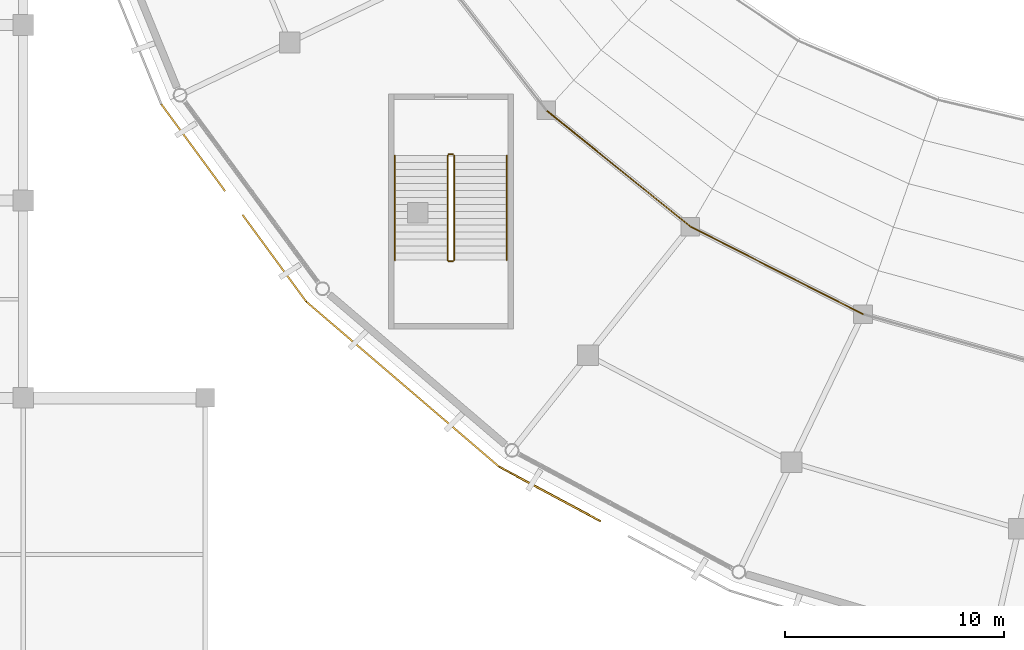
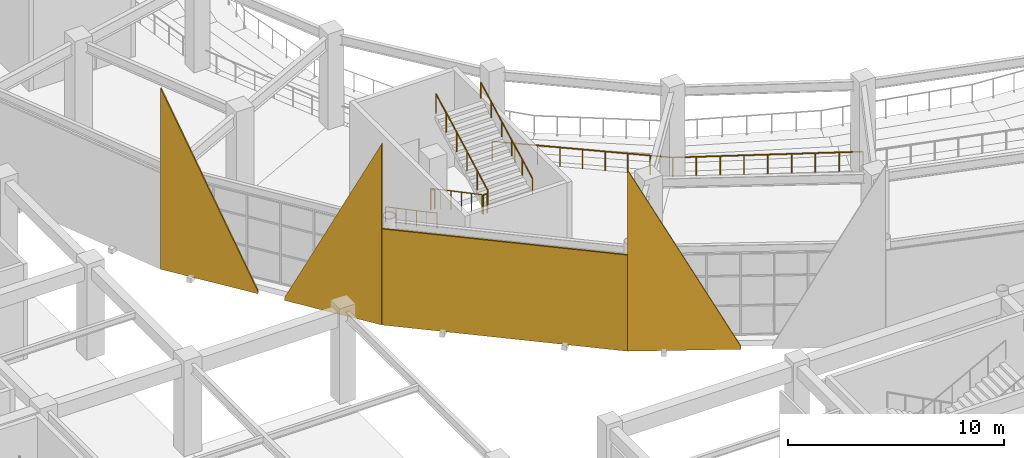
# One storey, part 95 of 120: 8 railings, 4 coverings.
"""IFC4 building model written with IfcOpenShell, lengths in metres."""

from ifc_helpers import new_model, si_unit, direction, frame, frame_2d, origin, origin_2d, place, context, subcontext, project, spatial, polyline, rectangle, circle, outline, extrude, material, layer, layer_set, type_object, element, save


model = new_model("IFC4")

# Units and contexts
model_context = context("Model", 3, precision=1e-05, world=origin(), true_north=direction((0.0, 1.0)))
body_context = subcontext(model_context, "Body", "Model", "MODEL_VIEW")
ifc_project = project(units=[si_unit("LENGTHUNIT", "METRE"), si_unit("AREAUNIT", "SQUARE_METRE"), si_unit("VOLUMEUNIT", "CUBIC_METRE"), si_unit("PLANEANGLEUNIT", "RADIAN"), si_unit("MASSUNIT", "GRAM", prefix="KILO")], contexts=[model_context])

# Site, building, storey
site_placement = place(None, origin())
site = spatial("IfcSite", under=ifc_project, at=site_placement, CompositionType="ELEMENT")
building_placement = place(site_placement, origin())
building = spatial("IfcBuilding", under=site, at=building_placement, Name="Cuetzalor Civic Arena", CompositionType="ELEMENT")
storey_placement = place(building_placement, frame((0.0, 0.0, 6.0)))
storey = spatial("IfcBuildingStorey", under=building, at=storey_placement, Name="L01", CompositionType="ELEMENT", Elevation=6.0)

# Railings
ifc_material_1 = material(Name="Reseda-green Steel S355 and laminated glass guard", Category="steel")
railing_type_1 = type_object("IfcRailingType", Name="BowlSightlineGuard_1100", PredefinedType="BALUSTRADE", material=ifc_material_1)
railing_1_placement = place(storey_placement, frame((-32.446044921875, -20.886962890625, 0.0)))
element("IfcRailing", 1, at=railing_1_placement, inside=storey, type_object=railing_type_1, Name="Lower Bowl Concourse Rim Balustrade S18", PredefinedType="BALUSTRADE", context=body_context, shape_type="SweptSolid", body=[
    extrude(circle(Radius=0.02392578125, at=origin_2d()), frame((0.0, 0.0, 1.076171875), z_axis=(0.778122678462, -0.628112328539, 0.0), x_axis=(0.628112328539, 0.778122678462, 0.0)), (0.0, 0.0, 1.0), 8.445068359375),
    extrude(circle(Radius=0.02099609375, at=origin_2d()), origin(), (0.0, 0.0, 1.0), 1.052001953125),
    extrude(circle(Radius=0.02099609375, at=origin_2d()), frame((0.8212890625, -0.6630859375, 0.0)), (0.0, 0.0, 1.0), 1.052001953125),
    extrude(circle(Radius=0.02099609375, at=origin_2d()), frame((1.642822265625, -1.326171875, 0.0)), (0.0, 0.0, 1.0), 1.052001953125),
    extrude(circle(Radius=0.02099609375, at=origin_2d()), frame((2.46435546875, -1.9892578125, 0.0)), (0.0, 0.0, 1.0), 1.052001953125),
    extrude(circle(Radius=0.02099609375, at=origin_2d()), frame((3.28564453125, -2.65234375, 0.0)), (0.0, 0.0, 1.0), 1.052001953125),
    extrude(circle(Radius=0.02099609375, at=origin_2d()), frame((4.10693359375, -3.315185546875, 0.0)), (0.0, 0.0, 1.0), 1.052001953125),
    extrude(circle(Radius=0.02099609375, at=origin_2d()), frame((4.928466796875, -3.978271484375, 0.0)), (0.0, 0.0, 1.0), 1.052001953125),
    extrude(circle(Radius=0.02099609375, at=origin_2d()), frame((5.75, -4.641357421875, 0.0)), (0.0, 0.0, 1.0), 1.052001953125),
    extrude(circle(Radius=0.02099609375, at=origin_2d()), frame((6.5712890625, -5.304443359375, 0.0)), (0.0, 0.0, 1.0), 1.052001953125),
])
railing_2_placement = place(storey_placement, frame((-25.874755859375, -26.19140625, 0.0)))
element("IfcRailing", 2, at=railing_2_placement, inside=storey, type_object=railing_type_1, Name="Lower Bowl Concourse Rim Balustrade S19", PredefinedType="BALUSTRADE", context=body_context, shape_type="SweptSolid", body=[
    extrude(circle(Radius=0.02392578125, at=origin_2d()), frame((0.0, 0.0, 1.076171875), z_axis=(0.891833390372, -0.452364016935, 0.0), x_axis=(0.452364016935, 0.891833390372, 0.0)), (0.0, 0.0, 1.0), 8.822998046875),
    extrude(circle(Radius=0.02099609375, at=origin_2d()), origin(), (0.0, 0.0, 1.0), 1.052001953125),
    extrude(circle(Radius=0.02099609375, at=origin_2d()), frame((0.983642578125, -0.4990234375, 0.0)), (0.0, 0.0, 1.0), 1.052001953125),
    extrude(circle(Radius=0.02099609375, at=origin_2d()), frame((1.96728515625, -0.997802734375, 0.0)), (0.0, 0.0, 1.0), 1.052001953125),
    extrude(circle(Radius=0.02099609375, at=origin_2d()), frame((2.95068359375, -1.49658203125, 0.0)), (0.0, 0.0, 1.0), 1.052001953125),
    extrude(circle(Radius=0.02099609375, at=origin_2d()), frame((3.934326171875, -1.99560546875, 0.0)), (0.0, 0.0, 1.0), 1.052001953125),
    extrude(circle(Radius=0.02099609375, at=origin_2d()), frame((4.91796875, -2.49462890625, 0.0)), (0.0, 0.0, 1.0), 1.052001953125),
    extrude(circle(Radius=0.02099609375, at=origin_2d()), frame((5.9013671875, -2.993408203125, 0.0)), (0.0, 0.0, 1.0), 1.052001953125),
    extrude(circle(Radius=0.02099609375, at=origin_2d()), frame((6.885009765625, -3.4921875, 0.0)), (0.0, 0.0, 1.0), 1.052001953125),
    extrude(circle(Radius=0.02099609375, at=origin_2d()), frame((7.86865234375, -3.9912109375, 0.0)), (0.0, 0.0, 1.0), 1.052001953125),
])
ifc_material_2 = material(Name="Reseda-green architectural Steel S355 balustrade", Category="steel")
railing_type_2 = type_object("IfcRailingType", Name="InteriorVoidBalustrade_1100", PredefinedType="BALUSTRADE", material=ifc_material_2)
railing_3_placement = place(storey_placement, frame((-36.949951171875, -22.949951171875, 0.168701171875)))
element("IfcRailing", 3, at=railing_3_placement, inside=storey, type_object=railing_type_2, Name="L01 ST-06 stair guard 1", PredefinedType="BALUSTRADE", context=body_context, shape_type="SweptSolid", body=[
    extrude(circle(Radius=0.02392578125, at=origin_2d()), frame((0.0, 0.0, 1.0810546875), z_axis=(0.0, -0.883332211103, 0.468747485143), x_axis=(1.0, 0.0, 0.0)), (0.0, 0.0, 1.0), 5.400146484375),
    extrude(circle(Radius=0.02099609375, at=origin_2d()), origin(), (0.0, 0.0, 1.0), 1.056884765625),
    extrude(circle(Radius=0.02099609375, at=origin_2d()), frame((0.0, -0.9541015625, 0.50634765625)), (0.0, 0.0, 1.0), 1.056884765625),
    extrude(circle(Radius=0.02099609375, at=origin_2d()), frame((0.0, -1.907958984375, 1.012451171875)), (0.0, 0.0, 1.0), 1.056884765625),
    extrude(circle(Radius=0.02099609375, at=origin_2d()), frame((0.0, -2.862060546875, 1.518798828125)), (0.0, 0.0, 1.0), 1.056884765625),
    extrude(circle(Radius=0.02099609375, at=origin_2d()), frame((0.0, -3.81591796875, 2.02490234375)), (0.0, 0.0, 1.0), 1.056884765625),
    extrude(circle(Radius=0.02099609375, at=origin_2d()), frame((0.0, -4.77001953125, 2.53125)), (0.0, 0.0, 1.0), 1.056884765625),
])
railing_4_placement = place(storey_placement, frame((-36.89990234375, -27.77001953125, 2.699951171875)))
element("IfcRailing", 4, at=railing_4_placement, inside=storey, type_object=railing_type_2, Name="L01 ST-06 stair guard 2", PredefinedType="BALUSTRADE", context=body_context, shape_type="SweptSolid", body=[
    extrude(circle(Radius=0.02392578125, at=origin_2d()), frame((0.0, 0.0, 1.0810546875), z_axis=(1.0, 0.0, 0.0), x_axis=(0.0, 1.0, 0.0)), (0.0, 0.0, 1.0), 0.199951171875),
    extrude(circle(Radius=0.02099609375, at=origin_2d()), origin(), (0.0, 0.0, 1.0), 1.056884765625),
    extrude(circle(Radius=0.02099609375, at=origin_2d()), frame((0.199951171875, 0.0, 0.0)), (0.0, 0.0, 1.0), 1.056884765625),
])
railing_5_placement = place(storey_placement, frame((-36.64990234375, -27.719970703125, 2.86865234375)))
element("IfcRailing", 5, at=railing_5_placement, inside=storey, type_object=railing_type_2, Name="L01 ST-06 stair guard 3", PredefinedType="BALUSTRADE", context=body_context, shape_type="SweptSolid", body=[
    extrude(circle(Radius=0.02392578125, at=origin_2d()), frame((0.0, 0.0, 1.0810546875), z_axis=(0.0, 0.883332211103, 0.468747485143), x_axis=(-1.0, 0.0, 0.0)), (0.0, 0.0, 1.0), 5.400146484375),
    extrude(circle(Radius=0.02099609375, at=origin_2d()), origin(), (0.0, 0.0, 1.0), 1.056884765625),
    extrude(circle(Radius=0.02099609375, at=origin_2d()), frame((0.0, 0.9541015625, 0.50634765625)), (0.0, 0.0, 1.0), 1.056884765625),
    extrude(circle(Radius=0.02099609375, at=origin_2d()), frame((0.0, 1.907958984375, 1.012451171875)), (0.0, 0.0, 1.0), 1.056884765625),
    extrude(circle(Radius=0.02099609375, at=origin_2d()), frame((0.0, 2.862060546875, 1.518798828125)), (0.0, 0.0, 1.0), 1.056884765625),
    extrude(circle(Radius=0.02099609375, at=origin_2d()), frame((0.0, 3.81591796875, 2.02490234375)), (0.0, 0.0, 1.0), 1.056884765625),
    extrude(circle(Radius=0.02099609375, at=origin_2d()), frame((0.0, 4.77001953125, 2.53125)), (0.0, 0.0, 1.0), 1.056884765625),
])
railing_6_placement = place(storey_placement, frame((-36.89990234375, -22.89990234375, 0.0)))
element("IfcRailing", 6, at=railing_6_placement, inside=storey, type_object=railing_type_2, Name="L01 ST-06 stair guard 4", PredefinedType="BALUSTRADE", context=body_context, shape_type="SweptSolid", body=[
    extrude(circle(Radius=0.02392578125, at=origin_2d()), frame((0.0, 0.0, 1.0810546875), z_axis=(1.0, 0.0, 0.0), x_axis=(0.0, 1.0, 0.0)), (0.0, 0.0, 1.0), 0.199951171875),
    extrude(circle(Radius=0.02099609375, at=origin_2d()), origin(), (0.0, 0.0, 1.0), 1.056884765625),
    extrude(circle(Radius=0.02099609375, at=origin_2d()), frame((0.199951171875, 0.0, 0.0)), (0.0, 0.0, 1.0), 1.056884765625),
])
ifc_material_3 = material(Name="Galvanised steel S355", Category="steel")
railing_type_3 = type_object("IfcRailingType", Name="StairPitchHandrail_900", PredefinedType="HANDRAIL", material=ifc_material_3)
railing_7_placement = place(storey_placement, frame((-39.35009765625, -22.949951171875, 0.168701171875)))
element("IfcRailing", 7, at=railing_7_placement, inside=storey, type_object=railing_type_3, Name="L01 ST-06 stair handrail 1", PredefinedType="HANDRAIL", context=body_context, shape_type="SweptSolid", body=[
    extrude(circle(Radius=0.02392578125, at=origin_2d()), frame((0.0, 0.0, 0.8759765625), z_axis=(0.0, -0.883332211103, 0.468747485143), x_axis=(1.0, 0.0, 0.0)), (0.0, 0.0, 1.0), 5.400146484375),
    extrude(circle(Radius=0.02099609375, at=origin_2d()), origin(), (0.0, 0.0, 1.0), 0.851806640625),
    extrude(circle(Radius=0.02099609375, at=origin_2d()), frame((0.0, -0.9541015625, 0.50634765625)), (0.0, 0.0, 1.0), 0.851806640625),
    extrude(circle(Radius=0.02099609375, at=origin_2d()), frame((0.0, -1.907958984375, 1.012451171875)), (0.0, 0.0, 1.0), 0.851806640625),
    extrude(circle(Radius=0.02099609375, at=origin_2d()), frame((0.0, -2.862060546875, 1.518798828125)), (0.0, 0.0, 1.0), 0.851806640625),
    extrude(circle(Radius=0.02099609375, at=origin_2d()), frame((0.0, -3.81591796875, 2.02490234375)), (0.0, 0.0, 1.0), 0.851806640625),
    extrude(circle(Radius=0.02099609375, at=origin_2d()), frame((0.0, -4.77001953125, 2.53125)), (0.0, 0.0, 1.0), 0.851806640625),
])
railing_8_placement = place(storey_placement, frame((-34.25, -27.719970703125, 2.86865234375)))
element("IfcRailing", 8, at=railing_8_placement, inside=storey, type_object=railing_type_3, Name="L01 ST-06 stair handrail 2", PredefinedType="HANDRAIL", context=body_context, shape_type="SweptSolid", body=[
    extrude(circle(Radius=0.02392578125, at=origin_2d()), frame((0.0, 0.0, 0.8759765625), z_axis=(0.0, 0.883332211103, 0.468747485143), x_axis=(-1.0, 0.0, 0.0)), (0.0, 0.0, 1.0), 5.400146484375),
    extrude(circle(Radius=0.02099609375, at=origin_2d()), origin(), (0.0, 0.0, 1.0), 0.851806640625),
    extrude(circle(Radius=0.02099609375, at=origin_2d()), frame((0.0, 0.9541015625, 0.50634765625)), (0.0, 0.0, 1.0), 0.851806640625),
    extrude(circle(Radius=0.02099609375, at=origin_2d()), frame((0.0, 1.907958984375, 1.012451171875)), (0.0, 0.0, 1.0), 0.851806640625),
    extrude(circle(Radius=0.02099609375, at=origin_2d()), frame((0.0, 2.862060546875, 1.518798828125)), (0.0, 0.0, 1.0), 0.851806640625),
    extrude(circle(Radius=0.02099609375, at=origin_2d()), frame((0.0, 3.81591796875, 2.02490234375)), (0.0, 0.0, 1.0), 0.851806640625),
    extrude(circle(Radius=0.02099609375, at=origin_2d()), frame((0.0, 4.77001953125, 2.53125)), (0.0, 0.0, 1.0), 0.851806640625),
])

# Coverings
ifc_material_4 = material(Name="Terracotta-red perforated anodised aluminium panel", Category="masonry")
ifc_layer = layer(ifc_material_4, 0.080078125)
ifc_layer_set = layer_set([ifc_layer], Name="Terracotta-red perforated anodised aluminium panel")
covering_type = type_object("IfcCoveringType", Name="TerracottaPerforatedScreenPanel", PredefinedType="CLADDING", material=ifc_layer_set)
covering_1_placement = place(storey_placement, frame((-43.3916015625, -29.61572265625, -0.14990234375), z_axis=(0.0, 0.0, 1.0), x_axis=(-0.59182430591, 0.806066989111, 0.0)))
element("IfcCovering", 9, at=covering_1_placement, inside=storey, type_object=covering_type, Name="Terracotta Perforated Triangle Cheek Left S17", PredefinedType="CLADDING", context=body_context, shape_type="SweptSolid", body=[
    extrude(outline(polyline([(0.0, 0.0), (4.916015625, 0.0), (4.916015625, 0.139892578125), (0.0, 10.22998046875), (0.0, 0.0)])), frame((0.0, 0.0400390625, 0.0), z_axis=(0.0, -1.0, 0.0), x_axis=(1.0, 0.0, 0.0)), (0.0, 0.0, 1.0), 0.080078125),
])
covering_2_placement = place(storey_placement, frame((-47.094482421875, -24.572265625, -0.14990234375), z_axis=(0.0, 0.0, 1.0), x_axis=(-0.59182430591, 0.806066989111, 0.0)))
element("IfcCovering", 10, at=covering_2_placement, inside=storey, type_object=covering_type, Name="Terracotta Perforated Triangle Cheek Right S17", PredefinedType="CLADDING", context=body_context, shape_type="SweptSolid", body=[
    extrude(outline(polyline([(0.0, 0.0), (4.916015625, 0.0), (4.916015625, 10.22998046875), (0.0, 0.139892578125), (0.0, 0.0)])), frame((0.0, 0.0400390625, 0.0), z_axis=(0.0, -1.0, 0.0), x_axis=(1.0, 0.0, 0.0)), (0.0, 0.0, 1.0), 0.080078125),
])
covering_3_placement = place(storey_placement, frame((-34.603759765625, -37.136962890625, -0.14990234375), z_axis=(0.0, 0.0, 1.0), x_axis=(-0.759734649699, 0.650233236652, 0.0)))
element("IfcCovering", 11, at=covering_3_placement, inside=storey, type_object=covering_type, Name="Terracotta Perforated Drum Screen L01-S18", PredefinedType="CLADDING", context=body_context, shape_type="SweptSolid", body=[
    extrude(rectangle(XDim=11.56689453125, YDim=0.080078125, at=frame_2d((5.783447265625, 0.0))), origin(), (0.0, 0.0, 1.0), 5.429931640625),
])
covering_4_placement = place(storey_placement, frame((-29.973388671875, -39.626953125, -0.14990234375), z_axis=(0.0, 0.0, 1.0), x_axis=(-0.880731910717, 0.473615140641, 0.0)))
element("IfcCovering", 12, at=covering_4_placement, inside=storey, type_object=covering_type, Name="Terracotta Perforated Triangle Cheek Right S19", PredefinedType="CLADDING", context=body_context, shape_type="SweptSolid", body=[
    extrude(outline(polyline([(0.0, 0.0), (5.25732421875, 0.0), (5.25732421875, 10.22998046875), (0.0, 0.139892578125), (0.0, 0.0)])), frame((0.0, 0.0400390625, 0.0), z_axis=(0.0, -1.0, 0.0), x_axis=(1.0, 0.0, 0.0)), (0.0, 0.0, 1.0), 0.080078125),
])

save(model, "model.ifc")
